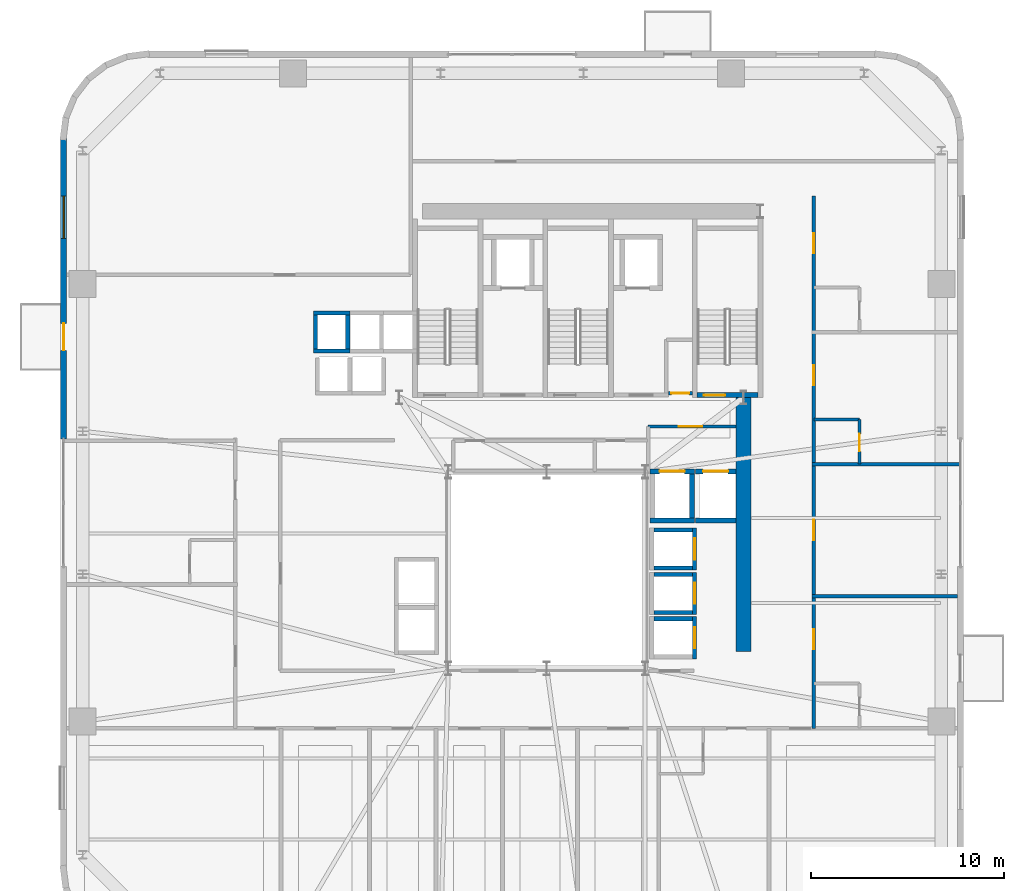
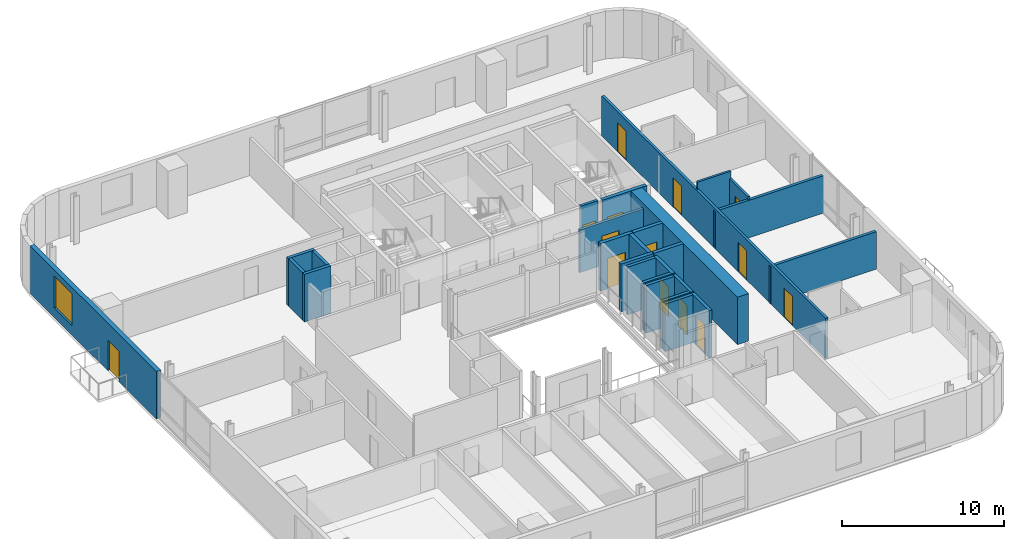
# One storey, part 9 of 14: 27 walls, 14 doors, 1 window, 15 openings.
"""IFC4 building model written with IfcOpenShell, lengths in metres."""

from ifc_helpers import new_model, si_unit, direction, frame, frame_2d, origin, place, context, subcontext, project, spatial, rectangle, extrude, source, transform, mapped, material, layer, layer_set, type_object, element, fill, save


model = new_model("IFC4")

# Units and contexts
model_context = context("Model", 3, precision=1e-05, world=origin(), true_north=direction((0.0, 1.0)))
body_context = subcontext(model_context, "Body", "Model", "MODEL_VIEW")
ifc_project = project(units=[si_unit("LENGTHUNIT", "METRE"), si_unit("AREAUNIT", "SQUARE_METRE"), si_unit("VOLUMEUNIT", "CUBIC_METRE"), si_unit("PLANEANGLEUNIT", "RADIAN"), si_unit("MASSUNIT", "GRAM", prefix="KILO")], contexts=[model_context])

# Site, building, storey
site_placement = place(None, origin())
site = spatial("IfcSite", under=ifc_project, at=site_placement, CompositionType="ELEMENT")
building_placement = place(site_placement, origin())
building = spatial("IfcBuilding", under=site, at=building_placement, Name="Vardaveli Station Tower", CompositionType="ELEMENT")
storey_placement = place(building_placement, frame((0.0, 0.0, 177.199951171875)))
storey = spatial("IfcBuildingStorey", under=building, at=storey_placement, Name="L45", CompositionType="ELEMENT", Elevation=177.199951171875)

# Wall
ifc_material_1 = material(Name="Concrete C50/60", Category="concrete")
ifc_layer_1 = layer(ifc_material_1, 0.800048828125, Name="Concrete C50/60")
ifc_layer_set_1 = layer_set([ifc_layer_1], Name="Concrete C50/60")
wall_type_1 = type_object("IfcWallType", Name="WAL-CORE-800", PredefinedType="SHEAR", material=ifc_layer_set_1)
shared_shape_1 = source(origin(), body_context, "Body", "SweptSolid", [
    extrude(rectangle(XDim=13.14990234375, YDim=0.800048828125, at=frame_2d((6.574951171875, 0.0))), origin(), (0.0, 0.0, 1.0), 3.580078125),
])
wall_1_placement = place(storey_placement, frame((46.5, 17.5, 0.0), z_axis=(0.0, 0.0, 1.0), x_axis=(0.0, 1.0, 0.0)))
element("IfcWall", 1, at=wall_1_placement, inside=storey, type_object=wall_type_1, Name="SW-L45-EAST2", PredefinedType="SHEAR", context=body_context, shape_type="MappedRepresentation", body=[
    mapped(shared_shape_1, transform((0.0, 0.0, 0.0), scale=1.0)),
])

# Wall, openings, door, window
ifc_material_2 = material(Name="Precast concrete C45/55", Category="concrete")
ifc_layer_2 = layer(ifc_material_2, 0.320068359375, Name="Precast concrete C45/55")
ifc_layer_set_2 = layer_set([ifc_layer_2], Name="Precast concrete C45/55")
wall_type_2 = type_object("IfcWallType", Name="WAL-EXT-STONE-320", PredefinedType="SOLIDWALL", material=ifc_layer_set_2)
shared_shape_2 = source(origin(), body_context, "Body", "SweptSolid", [
    extrude(rectangle(XDim=15.60009765625, YDim=0.320068359375, at=frame_2d((7.800048828125, 0.0))), origin(), (0.0, 0.0, 1.0), 3.580078125),
])
wall_2_placement = place(storey_placement, frame((11.260009765625, 44.10009765625, 0.0), z_axis=(0.0, 0.0, 1.0), x_axis=(0.0, -1.0, 0.0)))
wall_2 = element("IfcWall", 2, at=wall_2_placement, inside=storey, type_object=wall_type_2, Name="EW-L45-W1", PredefinedType="SOLIDWALL", context=body_context, shape_type="MappedRepresentation", body=[
    mapped(shared_shape_2, transform((0.0, 0.0, 0.0), scale=1.0)),
])
shared_shape_3 = source(origin(), body_context, "Body", "SweptSolid", [
    extrude(rectangle(XDim=1.39990234375, YDim=2.300048828125, at=frame_2d((0.699951171875, 1.14990234375))), frame((0.0, 0.169921875, 0.0), z_axis=(0.0, -1.0, 0.0), x_axis=(1.0, 0.0, 0.0)), (0.0, 0.0, 1.0), 0.340087890625),
])
opening_1_placement = place(wall_2_placement, frame((9.6103515625, 0.0, 0.0)))
opening_1 = element("IfcOpeningElement", 3, at=opening_1_placement, cuts=wall_2, Name="Opening D-09", PredefinedType="OPENING", context=body_context, shape_type="MappedRepresentation", body=[
    mapped(shared_shape_3, transform((0.0, 0.0, 0.0), scale=1.0)),
])
shared_shape_4 = source(origin(), body_context, "Body", "SweptSolid", [
    extrude(rectangle(XDim=2.199951171875, YDim=2.39990234375, at=frame_2d((1.10009765625, 1.199951171875))), frame((0.0, 0.169921875, 0.0), z_axis=(0.0, -1.0, 0.0), x_axis=(1.0, 0.0, 0.0)), (0.0, 0.0, 1.0), 0.340087890625),
])
opening_2_placement = place(wall_2_placement, frame((3.0048828125, 0.0, 0.719970703125)))
opening_2 = element("IfcOpeningElement", 4, at=opening_2_placement, cuts=wall_2, Name="Opening W-03", PredefinedType="OPENING", context=body_context, shape_type="MappedRepresentation", body=[
    mapped(shared_shape_4, transform((0.0, 0.0, 0.0), scale=1.0)),
])
ifc_material_3 = material(Name="Thermally broken aluminium glass", Category="aluminium")
door_type_1 = type_object("IfcDoorType", Name="DR-LOG-1400x2300", OperationType="DOUBLE_DOOR_SLIDING", PredefinedType="DOOR", material=ifc_material_3)
shared_shape_5 = source(origin(), body_context, "Body", "SweptSolid", [
    extrude(rectangle(XDim=1.39990234375, YDim=2.300048828125, at=frame_2d((0.699951171875, 1.14990234375))), frame((0.0, 0.02490234375, 0.0), z_axis=(0.0, -1.0, 0.0), x_axis=(1.0, 0.0, 0.0)), (0.0, 0.0, 1.0), 0.050048828125),
])
door_1_placement = place(opening_1_placement, frame((1.39990234375, 0.0, 0.0), z_axis=(0.0, 0.0, 1.0), x_axis=(-1.0, 0.0, 0.0)))
door_1 = element("IfcDoor", 5, at=door_1_placement, inside=storey, type_object=door_type_1, Name="DLG-L45-W", OperationType="DOUBLE_DOOR_SLIDING", OverallHeight=2.300048828125, OverallWidth=1.39990234375, PredefinedType="DOOR", context=body_context, shape_type="MappedRepresentation", body=[
    mapped(shared_shape_5, transform((0.0, 0.0, 0.0), scale=1.0)),
])
fill(opening_1, door_1)
ifc_material_4 = material(Name="Low-E solar-control glass", Category="glass")
window_type = type_object("IfcWindowType", Name="WIN-LOG-2200x2400", PartitioningType="SINGLE_PANEL", PredefinedType="WINDOW", material=ifc_material_4)
shared_shape_6 = source(origin(), body_context, "Body", "SweptSolid", [
    extrude(rectangle(XDim=2.199951171875, YDim=2.39990234375, at=frame_2d((1.10009765625, 1.199951171875))), frame((0.0, 0.030029296875, 0.0), z_axis=(0.0, -1.0, 0.0), x_axis=(1.0, 0.0, 0.0)), (0.0, 0.0, 1.0), 0.06005859375),
])
window_placement = place(opening_2_placement, origin())
window = element("IfcWindow", 6, at=window_placement, inside=storey, type_object=window_type, Name="WN-L45-W1", OverallHeight=2.39990234375, OverallWidth=2.199951171875, PartitioningType="SINGLE_PANEL", PredefinedType="WINDOW", context=body_context, shape_type="MappedRepresentation", body=[
    mapped(shared_shape_6, transform((0.0, 0.0, 0.0), scale=1.0)),
])
fill(opening_2, window)

# Wall, opening, door
ifc_material_5 = material(Name="Concrete C40/50", Category="concrete")
ifc_layer_3 = layer(ifc_material_5, 0.25, Name="Concrete C40/50")
ifc_layer_set_3 = layer_set([ifc_layer_3], Name="Concrete C40/50")
wall_type_3 = type_object("IfcWallType", Name="WAL-SHAFT-250", PredefinedType="SOLIDWALL", material=ifc_layer_set_3)
shared_shape_7 = source(origin(), body_context, "Body", "SweptSolid", [
    extrude(rectangle(XDim=3.14990234375, YDim=0.25, at=frame_2d((1.574951171875, 0.0))), origin(), (0.0, 0.0, 1.0), 3.60009765625),
])
wall_3_placement = place(storey_placement, frame((44.10009765625, 30.77490234375, 0.0), z_axis=(0.0, 0.0, 1.0), x_axis=(1.0, 0.0, 0.0)))
wall_3 = element("IfcWall", 7, at=wall_3_placement, inside=storey, type_object=wall_type_3, Name="W-L45-ST-3S", PredefinedType="SOLIDWALL", context=body_context, shape_type="MappedRepresentation", body=[
    mapped(shared_shape_7, transform((0.0, 0.0, 0.0), scale=1.0)),
])
shared_shape_8 = source(origin(), body_context, "Body", "SweptSolid", [
    extrude(rectangle(XDim=1.10009765625, YDim=2.199951171875, at=frame_2d((0.550048828125, 1.10009765625))), frame((0.0, 0.135009765625, 0.0), z_axis=(0.0, -1.0, 0.0), x_axis=(1.0, 0.0, 0.0)), (0.0, 0.0, 1.0), 0.27001953125),
])
opening_3_placement = place(wall_3_placement, frame((0.35009765625, 0.0, 0.0)))
opening_3 = element("IfcOpeningElement", 8, at=opening_3_placement, cuts=wall_3, Name="Opening D-04", PredefinedType="OPENING", context=body_context, shape_type="MappedRepresentation", body=[
    mapped(shared_shape_8, transform((0.0, 0.0, 0.0), scale=1.0)),
])
ifc_material_6 = material(Name="Steel smokeproof fire doorset", Category="steel")
door_type_2 = type_object("IfcDoorType", Name="DR-ST-1100x2200", OperationType="NOTDEFINED", PredefinedType="DOOR", material=ifc_material_6)
shared_shape_9 = source(origin(), body_context, "Body", "SweptSolid", [
    extrude(rectangle(XDim=1.10009765625, YDim=2.199951171875, at=frame_2d((0.550048828125, 1.10009765625))), frame((0.0, 0.02490234375, 0.0), z_axis=(0.0, -1.0, 0.0), x_axis=(1.0, 0.0, 0.0)), (0.0, 0.0, 1.0), 0.050048828125),
])
door_2_placement = place(opening_3_placement, origin())
door_2 = element("IfcDoor", 9, at=door_2_placement, inside=storey, type_object=door_type_2, Name="DST-3-L45", OperationType="SINGLE_SWING_LEFT", OverallHeight=2.199951171875, OverallWidth=1.10009765625, PredefinedType="DOOR", context=body_context, shape_type="MappedRepresentation", body=[
    mapped(shared_shape_9, transform((0.0, 0.0, 0.0), scale=1.0)),
])
fill(opening_3, door_2)

# Walls
ifc_layer_4 = layer(ifc_material_5, 0.219970703125, Name="Concrete C40/50")
ifc_layer_set_4 = layer_set([ifc_layer_4], Name="Concrete C40/50")
wall_type_4 = type_object("IfcWallType", Name="WAL-FFLOBBY-220", PredefinedType="SOLIDWALL", material=ifc_layer_set_4)
shared_shape_10 = source(origin(), body_context, "Body", "SweptSolid", [
    extrude(rectangle(XDim=1.889892578125, YDim=0.219970703125, at=frame_2d((0.94482421875, 0.0))), origin(), (0.0, 0.0, 1.0), 3.580078125),
])
for number, where, z_axis, x_axis, name in (
    (10, (24.205078125, 33.06494140625, 0.0), (0.0, 0.0, 1.0), (1.0, 0.0, 0.0), "SHW-HL2-01-L45-S"),
    (11, (24.205078125, 35.034912109375, 0.0), (0.0, 0.0, 1.0), (1.0, 0.0, 0.0), "SHW-HL2-01-L45-N"),
):
    element("IfcWall", number, at=place(storey_placement, frame(where, z_axis=z_axis, x_axis=x_axis)), inside=storey, type_object=wall_type_4, Name=name, PredefinedType="SOLIDWALL", context=body_context, shape_type="MappedRepresentation", body=[
        mapped(shared_shape_10, transform((0.0, 0.0, 0.0), scale=1.0)),
    ])
shared_shape_11 = source(origin(), body_context, "Body", "SweptSolid", [
    extrude(rectangle(XDim=1.75, YDim=0.219970703125, at=frame_2d((0.875, 0.0))), origin(), (0.0, 0.0, 1.0), 3.580078125),
])
for number, where, z_axis, x_axis, name in (
    (12, (24.31494140625, 33.175048828125, 0.0), (0.0, 0.0, 1.0), (0.0, 1.0, 0.0), "SHW-HL2-01-L45-W"),
    (13, (25.985107421875, 33.175048828125, 0.0), (0.0, 0.0, 1.0), (0.0, 1.0, 0.0), "SHW-HL2-01-L45-E"),
):
    element("IfcWall", number, at=place(storey_placement, frame(where, z_axis=z_axis, x_axis=x_axis)), inside=storey, type_object=wall_type_4, Name=name, PredefinedType="SOLIDWALL", context=body_context, shape_type="MappedRepresentation", body=[
        mapped(shared_shape_11, transform((0.0, 0.0, 0.0), scale=1.0)),
    ])
shared_shape_12 = source(origin(), body_context, "Body", "SweptSolid", [
    extrude(rectangle(XDim=2.0, YDim=0.219970703125, at=frame_2d((1.0, 0.0))), origin(), (0.0, 0.0, 1.0), 3.580078125),
])
for number, where, z_axis, x_axis, name in (
    (14, (41.85009765625, 21.81494140625, 0.0), (0.0, 0.0, 1.0), (1.0, 0.0, 0.0), "SHW-HL3-01-L45-S"),
    (15, (41.85009765625, 23.784912109375, 0.0), (0.0, 0.0, 1.0), (1.0, 0.0, 0.0), "SHW-HL3-01-L45-N"),
    (16, (41.85009765625, 19.514892578125, 0.0), (0.0, 0.0, 1.0), (1.0, 0.0, 0.0), "SHW-HL3-02-L45-S"),
    (17, (41.85009765625, 21.485107421875, 0.0), (0.0, 0.0, 1.0), (1.0, 0.0, 0.0), "SHW-HL3-02-L45-N"),
    (18, (41.85009765625, 19.18505859375, 0.0), (0.0, 0.0, 1.0), (1.0, 0.0, 0.0), "SHW-HL3-03-L45-N"),
):
    element("IfcWall", number, at=place(storey_placement, frame(where, z_axis=z_axis, x_axis=x_axis)), inside=storey, type_object=wall_type_4, Name=name, PredefinedType="SOLIDWALL", context=body_context, shape_type="MappedRepresentation", body=[
        mapped(shared_shape_12, transform((0.0, 0.0, 0.0), scale=1.0)),
    ])

# Wall, opening, door
shared_shape_13 = source(origin(), body_context, "Body", "SweptSolid", [
    extrude(rectangle(XDim=2.18994140625, YDim=0.219970703125, at=frame_2d((1.094970703125, 0.0))), origin(), (0.0, 0.0, 1.0), 3.580078125),
])
wall_4_placement = place(storey_placement, frame((43.9599609375, 21.705078125, 0.0), z_axis=(0.0, 0.0, 1.0), x_axis=(0.0, 1.0, 0.0)))
wall_4 = element("IfcWall", 19, at=wall_4_placement, inside=storey, type_object=wall_type_4, Name="SHW-HL3-01-L45-E", PredefinedType="SOLIDWALL", context=body_context, shape_type="MappedRepresentation", body=[
    mapped(shared_shape_13, transform((0.0, 0.0, 0.0), scale=1.0)),
])
shared_shape_14 = source(origin(), body_context, "Body", "SweptSolid", [
    extrude(rectangle(XDim=1.10009765625, YDim=2.199951171875, at=frame_2d((0.550048828125, 1.10009765625))), frame((0.0, 0.1201171875, 0.0), z_axis=(0.0, -1.0, 0.0), x_axis=(1.0, 0.0, 0.0)), (0.0, 0.0, 1.0), 0.239990234375),
])
opening_4_placement = place(wall_4_placement, frame((0.544921875, 0.0, 0.0)))
opening_4 = element("IfcOpeningElement", 20, at=opening_4_placement, cuts=wall_4, Name="Opening LD-01", PredefinedType="OPENING", context=body_context, shape_type="MappedRepresentation", body=[
    mapped(shared_shape_14, transform((0.0, 0.0, 0.0), scale=1.0)),
])
ifc_material_7 = material(Name="Brushed stainless steel", Category="steel")
door_type_3 = type_object("IfcDoorType", Name="DR-LD-1100x2200", OperationType="DOUBLE_DOOR_SLIDING", PredefinedType="DOOR", material=ifc_material_7)
door_3_placement = place(opening_4_placement, origin())
door_3 = element("IfcDoor", 21, at=door_3_placement, inside=storey, type_object=door_type_3, Name="LD-HL3-01-L45", OperationType="DOUBLE_DOOR_SLIDING", OverallHeight=2.199951171875, OverallWidth=1.10009765625, PredefinedType="DOOR", context=body_context, shape_type="MappedRepresentation", body=[
    mapped(shared_shape_9, transform((0.0, 0.0, 0.0), scale=1.0)),
])
fill(opening_4, door_3)

wall_5_placement = place(storey_placement, frame((43.9599609375, 19.405029296875, 0.0), z_axis=(0.0, 0.0, 1.0), x_axis=(0.0, 1.0, 0.0)))
wall_5 = element("IfcWall", 22, at=wall_5_placement, inside=storey, type_object=wall_type_4, Name="SHW-HL3-02-L45-E", PredefinedType="SOLIDWALL", context=body_context, shape_type="MappedRepresentation", body=[
    mapped(shared_shape_13, transform((0.0, 0.0, 0.0), scale=1.0)),
])
opening_5_placement = place(wall_5_placement, frame((0.544921875, 0.0, 0.0)))
opening_5 = element("IfcOpeningElement", 23, at=opening_5_placement, cuts=wall_5, Name="Opening LD-01", PredefinedType="OPENING", context=body_context, shape_type="MappedRepresentation", body=[
    mapped(shared_shape_14, transform((0.0, 0.0, 0.0), scale=1.0)),
])
door_4_placement = place(opening_5_placement, origin())
door_4 = element("IfcDoor", 24, at=door_4_placement, inside=storey, type_object=door_type_3, Name="LD-HL3-02-L45", OperationType="DOUBLE_DOOR_SLIDING", OverallHeight=2.199951171875, OverallWidth=1.10009765625, PredefinedType="DOOR", context=body_context, shape_type="MappedRepresentation", body=[
    mapped(shared_shape_9, transform((0.0, 0.0, 0.0), scale=1.0)),
])
fill(opening_5, door_4)

wall_6_placement = place(storey_placement, frame((43.9599609375, 17.10498046875, 0.0), z_axis=(0.0, 0.0, 1.0), x_axis=(0.0, 1.0, 0.0)))
wall_6 = element("IfcWall", 25, at=wall_6_placement, inside=storey, type_object=wall_type_4, Name="SHW-HL3-03-L45-E", PredefinedType="SOLIDWALL", context=body_context, shape_type="MappedRepresentation", body=[
    mapped(shared_shape_13, transform((0.0, 0.0, 0.0), scale=1.0)),
])
opening_6_placement = place(wall_6_placement, frame((0.544921875, 0.0, 0.0)))
opening_6 = element("IfcOpeningElement", 26, at=opening_6_placement, cuts=wall_6, Name="Opening LD-01", PredefinedType="OPENING", context=body_context, shape_type="MappedRepresentation", body=[
    mapped(shared_shape_14, transform((0.0, 0.0, 0.0), scale=1.0)),
])
door_5_placement = place(opening_6_placement, origin())
door_5 = element("IfcDoor", 27, at=door_5_placement, inside=storey, type_object=door_type_3, Name="LD-HL3-03-L45", OperationType="DOUBLE_DOOR_SLIDING", OverallHeight=2.199951171875, OverallWidth=1.10009765625, PredefinedType="DOOR", context=body_context, shape_type="MappedRepresentation", body=[
    mapped(shared_shape_9, transform((0.0, 0.0, 0.0), scale=1.0)),
])
fill(opening_6, door_5)

# Wall
shared_shape_15 = source(origin(), body_context, "Body", "SweptSolid", [
    extrude(rectangle(XDim=2.300048828125, YDim=0.25, at=frame_2d((1.14990234375, 0.0))), origin(), (0.0, 0.0, 1.0), 3.580078125),
])
wall_7_placement = place(storey_placement, frame((41.64990234375, 24.27490234375, 0.0), z_axis=(0.0, 0.0, 1.0), x_axis=(1.0, 0.0, 0.0)))
element("IfcWall", 28, at=wall_7_placement, inside=storey, type_object=wall_type_3, Name="SHW-SRV-01-L45-S", PredefinedType="SOLIDWALL", context=body_context, shape_type="MappedRepresentation", body=[
    mapped(shared_shape_15, transform((0.0, 0.0, 0.0), scale=1.0)),
])

# Wall, opening, door
wall_8_placement = place(storey_placement, frame((41.64990234375, 26.824951171875, 0.0), z_axis=(0.0, 0.0, 1.0), x_axis=(1.0, 0.0, 0.0)))
wall_8 = element("IfcWall", 29, at=wall_8_placement, inside=storey, type_object=wall_type_3, Name="SHW-SRV-01-L45-N", PredefinedType="SOLIDWALL", context=body_context, shape_type="MappedRepresentation", body=[
    mapped(shared_shape_15, transform((0.0, 0.0, 0.0), scale=1.0)),
])
shared_shape_16 = source(origin(), body_context, "Body", "SweptSolid", [
    extrude(rectangle(XDim=1.300048828125, YDim=2.300048828125, at=frame_2d((0.64990234375, 1.14990234375))), frame((0.0, 0.135009765625, 0.0), z_axis=(0.0, -1.0, 0.0), x_axis=(1.0, 0.0, 0.0)), (0.0, 0.0, 1.0), 0.27001953125),
])
opening_7_placement = place(wall_8_placement, frame((0.5, 0.0, 0.0)))
opening_7 = element("IfcOpeningElement", 30, at=opening_7_placement, cuts=wall_8, Name="Opening LD-03", PredefinedType="OPENING", context=body_context, shape_type="MappedRepresentation", body=[
    mapped(shared_shape_16, transform((0.0, 0.0, 0.0), scale=1.0)),
])
door_type_4 = type_object("IfcDoorType", Name="DR-LD-1300x2300", OperationType="DOUBLE_DOOR_SLIDING", PredefinedType="DOOR", material=ifc_material_7)
shared_shape_17 = source(origin(), body_context, "Body", "SweptSolid", [
    extrude(rectangle(XDim=1.300048828125, YDim=2.300048828125, at=frame_2d((0.64990234375, 1.14990234375))), frame((0.0, 0.02490234375, 0.0), z_axis=(0.0, -1.0, 0.0), x_axis=(1.0, 0.0, 0.0)), (0.0, 0.0, 1.0), 0.050048828125),
])
door_6_placement = place(opening_7_placement, origin())
door_6 = element("IfcDoor", 31, at=door_6_placement, inside=storey, type_object=door_type_4, Name="LD-SRV-01-L45", OperationType="DOUBLE_DOOR_SLIDING", OverallHeight=2.300048828125, OverallWidth=1.300048828125, PredefinedType="DOOR", context=body_context, shape_type="MappedRepresentation", body=[
    mapped(shared_shape_17, transform((0.0, 0.0, 0.0), scale=1.0)),
])
fill(opening_7, door_6)

# Walls
wall_9_placement = place(storey_placement, frame((43.824951171875, 24.39990234375, 0.0), z_axis=(0.0, 0.0, 1.0), x_axis=(0.0, 1.0, 0.0)))
element("IfcWall", 32, at=wall_9_placement, inside=storey, type_object=wall_type_3, Name="SHW-SRV-01-L45-E", PredefinedType="SOLIDWALL", context=body_context, shape_type="MappedRepresentation", body=[
    mapped(shared_shape_15, transform((0.0, 0.0, 0.0), scale=1.0)),
])
shared_shape_18 = source(origin(), body_context, "Body", "SweptSolid", [
    extrude(rectangle(XDim=2.10009765625, YDim=0.25, at=frame_2d((1.050048828125, 0.0))), origin(), (0.0, 0.0, 1.0), 3.580078125),
])
wall_10_placement = place(storey_placement, frame((44.0, 24.27490234375, 0.0), z_axis=(0.0, 0.0, 1.0), x_axis=(1.0, 0.0, 0.0)))
element("IfcWall", 33, at=wall_10_placement, inside=storey, type_object=wall_type_3, Name="SHW-SRV-02-L45-S", PredefinedType="SOLIDWALL", context=body_context, shape_type="MappedRepresentation", body=[
    mapped(shared_shape_18, transform((0.0, 0.0, 0.0), scale=1.0)),
])

# Wall, opening, door
wall_11_placement = place(storey_placement, frame((44.0, 26.824951171875, 0.0), z_axis=(0.0, 0.0, 1.0), x_axis=(1.0, 0.0, 0.0)))
wall_11 = element("IfcWall", 34, at=wall_11_placement, inside=storey, type_object=wall_type_3, Name="SHW-SRV-02-L45-N", PredefinedType="SOLIDWALL", context=body_context, shape_type="MappedRepresentation", body=[
    mapped(shared_shape_18, transform((0.0, 0.0, 0.0), scale=1.0)),
])
opening_8_placement = place(wall_11_placement, frame((0.39990234375, 0.0, 0.0)))
opening_8 = element("IfcOpeningElement", 35, at=opening_8_placement, cuts=wall_11, Name="Opening LD-03", PredefinedType="OPENING", context=body_context, shape_type="MappedRepresentation", body=[
    mapped(shared_shape_16, transform((0.0, 0.0, 0.0), scale=1.0)),
])
door_7_placement = place(opening_8_placement, origin())
door_7 = element("IfcDoor", 36, at=door_7_placement, inside=storey, type_object=door_type_4, Name="LD-SRV-02-L45", OperationType="DOUBLE_DOOR_SLIDING", OverallHeight=2.300048828125, OverallWidth=1.300048828125, PredefinedType="DOOR", context=body_context, shape_type="MappedRepresentation", body=[
    mapped(shared_shape_17, transform((0.0, 0.0, 0.0), scale=1.0)),
])
fill(opening_8, door_7)

# Wall, openings, doors
ifc_material_8 = material(Name="Fire-rated gypsum stud partition")
ifc_layer_5 = layer(ifc_material_8, 0.179931640625, Name="Fire-rated gypsum stud partition")
ifc_layer_set_5 = layer_set([ifc_layer_5], Name="Fire-rated gypsum stud partition")
wall_type_5 = type_object("IfcWallType", Name="WAL-CORR-180", PredefinedType="PARTITIONING", material=ifc_layer_set_5)
shared_shape_19 = source(origin(), body_context, "Body", "SweptSolid", [
    extrude(rectangle(XDim=27.590087890625, YDim=0.179931640625, at=frame_2d((13.794921875, 0.0))), origin(), (0.0, 0.0, 1.0), 3.02197265625),
])
wall_12_placement = place(storey_placement, frame((50.14990234375, 13.510009765625, 0.0), z_axis=(0.0, 0.0, 1.0), x_axis=(0.0, 1.0, 0.0)))
wall_12 = element("IfcWall", 37, at=wall_12_placement, inside=storey, type_object=wall_type_5, Name="W-L45-CE", PredefinedType="PARTITIONING", context=body_context, shape_type="MappedRepresentation", body=[
    mapped(shared_shape_19, transform((0.0, 0.0, 0.0), scale=1.0)),
])
shared_shape_20 = source(origin(), body_context, "Body", "SweptSolid", [
    extrude(rectangle(XDim=1.050048828125, YDim=2.199951171875, at=frame_2d((0.52490234375, 1.10009765625))), frame((0.0, 0.10009765625, 0.0), z_axis=(0.0, -1.0, 0.0), x_axis=(1.0, 0.0, 0.0)), (0.0, 0.0, 1.0), 0.199951171875),
])
opening_9_placement = place(wall_12_placement, frame((4.086181640625, 0.0, 0.0)))
opening_9 = element("IfcOpeningElement", 38, at=opening_9_placement, cuts=wall_12, Name="Opening D-05", PredefinedType="OPENING", context=body_context, shape_type="MappedRepresentation", body=[
    mapped(shared_shape_20, transform((0.0, 0.0, 0.0), scale=1.0)),
])
opening_10_placement = place(wall_12_placement, frame((9.743896484375, 0.0, 0.0)))
opening_10 = element("IfcOpeningElement", 39, at=opening_10_placement, cuts=wall_12, Name="Opening D-05", PredefinedType="OPENING", context=body_context, shape_type="MappedRepresentation", body=[
    mapped(shared_shape_20, transform((0.0, 0.0, 0.0), scale=1.0)),
])
opening_11_placement = place(wall_12_placement, frame((17.771240234375, 0.0, 0.0)))
opening_11 = element("IfcOpeningElement", 40, at=opening_11_placement, cuts=wall_12, Name="Opening D-05", PredefinedType="OPENING", context=body_context, shape_type="MappedRepresentation", body=[
    mapped(shared_shape_20, transform((0.0, 0.0, 0.0), scale=1.0)),
])
opening_12_placement = place(wall_12_placement, frame((24.61376953125, 0.0, 0.0)))
opening_12 = element("IfcOpeningElement", 41, at=opening_12_placement, cuts=wall_12, Name="Opening D-05", PredefinedType="OPENING", context=body_context, shape_type="MappedRepresentation", body=[
    mapped(shared_shape_20, transform((0.0, 0.0, 0.0), scale=1.0)),
])
ifc_material_9 = material(Name="Walnut veneer acoustic fire door")
door_type_5 = type_object("IfcDoorType", Name="DR-SUITE-1050x2200", OperationType="NOTDEFINED", PredefinedType="DOOR", material=ifc_material_9)
shared_shape_21 = source(origin(), body_context, "Body", "SweptSolid", [
    extrude(rectangle(XDim=1.050048828125, YDim=2.199951171875, at=frame_2d((0.52490234375, 1.10009765625))), frame((0.0, 0.02490234375, 0.0), z_axis=(0.0, -1.0, 0.0), x_axis=(1.0, 0.0, 0.0)), (0.0, 0.0, 1.0), 0.050048828125),
])
door_8_placement = place(opening_9_placement, origin())
door_8 = element("IfcDoor", 42, at=door_8_placement, inside=storey, type_object=door_type_5, Name="D-L45-GE1", OperationType="SINGLE_SWING_RIGHT", OverallHeight=2.199951171875, OverallWidth=1.050048828125, PredefinedType="DOOR", context=body_context, shape_type="MappedRepresentation", body=[
    mapped(shared_shape_21, transform((0.0, 0.0, 0.0), scale=1.0)),
])
fill(opening_9, door_8)
door_9_placement = place(opening_10_placement, origin())
door_9 = element("IfcDoor", 43, at=door_9_placement, inside=storey, type_object=door_type_5, Name="D-L45-GE2", OperationType="SINGLE_SWING_LEFT", OverallHeight=2.199951171875, OverallWidth=1.050048828125, PredefinedType="DOOR", context=body_context, shape_type="MappedRepresentation", body=[
    mapped(shared_shape_21, transform((0.0, 0.0, 0.0), scale=1.0)),
])
fill(opening_10, door_9)
door_10_placement = place(opening_11_placement, origin())
door_10 = element("IfcDoor", 44, at=door_10_placement, inside=storey, type_object=door_type_5, Name="D-L45-GE3", OperationType="SINGLE_SWING_RIGHT", OverallHeight=2.199951171875, OverallWidth=1.050048828125, PredefinedType="DOOR", context=body_context, shape_type="MappedRepresentation", body=[
    mapped(shared_shape_21, transform((0.0, 0.0, 0.0), scale=1.0)),
])
fill(opening_11, door_10)
door_11_placement = place(opening_12_placement, origin())
door_11 = element("IfcDoor", 45, at=door_11_placement, inside=storey, type_object=door_type_5, Name="D-L45-GE4", OperationType="SINGLE_SWING_LEFT", OverallHeight=2.199951171875, OverallWidth=1.050048828125, PredefinedType="DOOR", context=body_context, shape_type="MappedRepresentation", body=[
    mapped(shared_shape_21, transform((0.0, 0.0, 0.0), scale=1.0)),
])
fill(opening_12, door_11)

# Wall, opening, door
shared_shape_22 = source(origin(), body_context, "Body", "SweptSolid", [
    extrude(rectangle(XDim=4.5478515625, YDim=0.179931640625, at=frame_2d((2.27392578125, 0.0))), origin(), (0.0, 0.0, 1.0), 3.212158203125),
])
wall_13_placement = place(storey_placement, frame((41.550048828125, 29.14990234375, 0.0), z_axis=(0.0, 0.0, 1.0), x_axis=(1.0, 0.0, 0.0)))
wall_13 = element("IfcWall", 46, at=wall_13_placement, inside=storey, type_object=wall_type_5, Name="W-L45-SVFN", PredefinedType="PARTITIONING", context=body_context, shape_type="MappedRepresentation", body=[
    mapped(shared_shape_22, transform((0.0, 0.0, 0.0), scale=1.0)),
])
shared_shape_23 = source(origin(), body_context, "Body", "SweptSolid", [
    extrude(rectangle(XDim=1.199951171875, YDim=2.199951171875, at=frame_2d((0.60009765625, 1.10009765625))), frame((0.0, 0.10009765625, 0.0), z_axis=(0.0, -1.0, 0.0), x_axis=(1.0, 0.0, 0.0)), (0.0, 0.0, 1.0), 0.199951171875),
])
opening_13_placement = place(wall_13_placement, frame((1.60009765625, 0.0, 0.0)))
opening_13 = element("IfcOpeningElement", 47, at=opening_13_placement, cuts=wall_13, Name="Opening D-03", PredefinedType="OPENING", context=body_context, shape_type="MappedRepresentation", body=[
    mapped(shared_shape_23, transform((0.0, 0.0, 0.0), scale=1.0)),
])
door_type_6 = type_object("IfcDoorType", Name="DR-FFL-1200x2200", OperationType="NOTDEFINED", PredefinedType="DOOR", material=ifc_material_6)
shared_shape_24 = source(origin(), body_context, "Body", "SweptSolid", [
    extrude(rectangle(XDim=1.199951171875, YDim=2.199951171875, at=frame_2d((0.60009765625, 1.10009765625))), frame((0.0, 0.02490234375, 0.0), z_axis=(0.0, -1.0, 0.0), x_axis=(1.0, 0.0, 0.0)), (0.0, 0.0, 1.0), 0.050048828125),
])
door_12_placement = place(opening_13_placement, origin())
door_12 = element("IfcDoor", 48, at=door_12_placement, inside=storey, type_object=door_type_6, Name="D-L45-SVF", OperationType="SINGLE_SWING_LEFT", OverallHeight=2.199951171875, OverallWidth=1.199951171875, PredefinedType="DOOR", context=body_context, shape_type="MappedRepresentation", body=[
    mapped(shared_shape_24, transform((0.0, 0.0, 0.0), scale=1.0)),
])
fill(opening_13, door_12)

ifc_material_10 = material(Name="Moisture-resistant stud partition")
ifc_layer_6 = layer(ifc_material_10, 0.14990234375, Name="Moisture-resistant stud partition")
ifc_layer_set_6 = layer_set([ifc_layer_6], Name="Moisture-resistant stud partition")
wall_type_6 = type_object("IfcWallType", Name="WAL-WET-150", PredefinedType="PARTITIONING", material=ifc_layer_set_6)
shared_shape_25 = source(origin(), body_context, "Body", "SweptSolid", [
    extrude(rectangle(XDim=2.289794921875, YDim=0.14990234375, at=frame_2d((1.14501953125, 0.0))), origin(), (0.0, 0.0, 1.0), 3.02197265625),
])
wall_14_placement = place(storey_placement, frame((52.510009765625, 27.215087890625, 0.0), z_axis=(0.0, 0.0, 1.0), x_axis=(0.0, 1.0, 0.0)))
wall_14 = element("IfcWall", 49, at=wall_14_placement, inside=storey, type_object=wall_type_6, Name="W-L45-BE3-E", PredefinedType="PARTITIONING", context=body_context, shape_type="MappedRepresentation", body=[
    mapped(shared_shape_25, transform((0.0, 0.0, 0.0), scale=1.0)),
])
shared_shape_26 = source(origin(), body_context, "Body", "SweptSolid", [
    extrude(rectangle(XDim=0.89990234375, YDim=2.10009765625, at=frame_2d((0.449951171875, 1.050048828125))), frame((0.0, 0.0849609375, 0.0), z_axis=(0.0, -1.0, 0.0), x_axis=(1.0, 0.0, 0.0)), (0.0, 0.0, 1.0), 0.169921875),
])
opening_14_placement = place(wall_14_placement, frame((0.64990234375, 0.0, 0.0)))
opening_14 = element("IfcOpeningElement", 50, at=opening_14_placement, cuts=wall_14, Name="Opening D-08", PredefinedType="OPENING", context=body_context, shape_type="MappedRepresentation", body=[
    mapped(shared_shape_26, transform((0.0, 0.0, 0.0), scale=1.0)),
])
ifc_material_11 = material(Name="Moisture-resistant oak door")
door_type_7 = type_object("IfcDoorType", Name="DR-BATH-900x2100", OperationType="NOTDEFINED", PredefinedType="DOOR", material=ifc_material_11)
shared_shape_27 = source(origin(), body_context, "Body", "SweptSolid", [
    extrude(rectangle(XDim=0.89990234375, YDim=2.10009765625, at=frame_2d((0.449951171875, 1.050048828125))), frame((0.0, 0.02490234375, 0.0), z_axis=(0.0, -1.0, 0.0), x_axis=(1.0, 0.0, 0.0)), (0.0, 0.0, 1.0), 0.050048828125),
])
door_13_placement = place(opening_14_placement, origin())
door_13 = element("IfcDoor", 51, at=door_13_placement, inside=storey, type_object=door_type_7, Name="D-L45-BE3", OperationType="SINGLE_SWING_LEFT", OverallHeight=2.10009765625, OverallWidth=0.89990234375, PredefinedType="DOOR", context=body_context, shape_type="MappedRepresentation", body=[
    mapped(shared_shape_27, transform((0.0, 0.0, 0.0), scale=1.0)),
])
fill(opening_14, door_13)

shared_shape_28 = source(origin(), body_context, "Body", "SweptSolid", [
    extrude(rectangle(XDim=1.247802734375, YDim=0.179931640625, at=frame_2d((0.6240234375, 0.0))), origin(), (0.0, 0.0, 1.0), 3.580078125),
])
wall_15_placement = place(storey_placement, frame((42.60009765625, 30.8798828125, 0.0), z_axis=(0.0, 0.0, 1.0), x_axis=(1.0, 0.0, 0.0)))
wall_15 = element("IfcWall", 52, at=wall_15_placement, inside=storey, type_object=wall_type_5, Name="W-L45-CBS0-S", PredefinedType="PARTITIONING", context=body_context, shape_type="MappedRepresentation", body=[
    mapped(shared_shape_28, transform((0.0, 0.0, 0.0), scale=1.0)),
])
shared_shape_29 = source(origin(), body_context, "Body", "SweptSolid", [
    extrude(rectangle(XDim=0.919921875, YDim=2.10009765625, at=frame_2d((0.4599609375, 1.050048828125))), frame((0.0, 0.10009765625, 0.0), z_axis=(0.0, -1.0, 0.0), x_axis=(1.0, 0.0, 0.0)), (0.0, 0.0, 1.0), 0.199951171875),
])
opening_15_placement = place(wall_15_placement, frame((0.1640625, 0.0, 0.0)))
opening_15 = element("IfcOpeningElement", 53, at=opening_15_placement, cuts=wall_15, Name="Opening D-07", PredefinedType="OPENING", context=body_context, shape_type="MappedRepresentation", body=[
    mapped(shared_shape_29, transform((0.0, 0.0, 0.0), scale=1.0)),
])
ifc_material_12 = material(Name="Moisture-resistant hardwood door", Category="wood")
door_type_8 = type_object("IfcDoorType", Name="DR-WC-920x2100", OperationType="NOTDEFINED", PredefinedType="DOOR", material=ifc_material_12)
shared_shape_30 = source(origin(), body_context, "Body", "SweptSolid", [
    extrude(rectangle(XDim=0.919921875, YDim=2.10009765625, at=frame_2d((0.4599609375, 1.050048828125))), frame((0.0, 0.02490234375, 0.0), z_axis=(0.0, -1.0, 0.0), x_axis=(1.0, 0.0, 0.0)), (0.0, 0.0, 1.0), 0.050048828125),
])
door_14_placement = place(opening_15_placement, origin())
door_14 = element("IfcDoor", 54, at=door_14_placement, inside=storey, type_object=door_type_8, Name="D-L45-CBS0", OperationType="SINGLE_SWING_LEFT", OverallHeight=2.10009765625, OverallWidth=0.919921875, PredefinedType="DOOR", context=body_context, shape_type="MappedRepresentation", body=[
    mapped(shared_shape_30, transform((0.0, 0.0, 0.0), scale=1.0)),
])
fill(opening_15, door_14)

# Walls
ifc_material_13 = material(Name="Acoustic twin-stud gypsum partition")
ifc_layer_7 = layer(ifc_material_13, 0.199951171875, Name="Acoustic twin-stud gypsum partition")
ifc_layer_set_7 = layer_set([ifc_layer_7], Name="Acoustic twin-stud gypsum partition")
wall_type_7 = type_object("IfcWallType", Name="WAL-PARTY-200", PredefinedType="PARTITIONING", material=ifc_layer_set_7)
shared_shape_31 = source(origin(), body_context, "Body", "SweptSolid", [
    extrude(rectangle(XDim=7.52783203125, YDim=0.199951171875, at=frame_2d((3.763916015625, 0.0))), origin(), (0.0, 0.0, 1.0), 2.822021484375),
])
wall_16_placement = place(storey_placement, frame((50.050048828125, 20.35205078125, 0.0), z_axis=(0.0, 0.0, 1.0), x_axis=(1.0, 0.0, 0.0)))
element("IfcWall", 55, at=wall_16_placement, inside=storey, type_object=wall_type_7, Name="W-L45-PE1", PredefinedType="PARTITIONING", context=body_context, shape_type="MappedRepresentation", body=[
    mapped(shared_shape_31, transform((0.0, 0.0, 0.0), scale=1.0)),
])
shared_shape_32 = source(origin(), body_context, "Body", "SweptSolid", [
    extrude(rectangle(XDim=7.719970703125, YDim=0.199951171875, at=frame_2d((3.85986328125, 0.0))), origin(), (0.0, 0.0, 1.0), 2.822021484375),
])
wall_17_placement = place(storey_placement, frame((50.050048828125, 27.195068359375, 0.0), z_axis=(0.0, 0.0, 1.0), x_axis=(1.0, 0.0, 0.0)))
element("IfcWall", 56, at=wall_17_placement, inside=storey, type_object=wall_type_7, Name="W-L45-PE2", PredefinedType="PARTITIONING", context=body_context, shape_type="MappedRepresentation", body=[
    mapped(shared_shape_32, transform((0.0, 0.0, 0.0), scale=1.0)),
])
shared_shape_33 = source(origin(), body_context, "Body", "SweptSolid", [
    extrude(rectangle(XDim=2.360107421875, YDim=0.14990234375, at=frame_2d((1.18017578125, 0.0))), origin(), (0.0, 0.0, 1.0), 3.580078125),
])
wall_18_placement = place(storey_placement, frame((50.14990234375, 29.5048828125, 0.0), z_axis=(0.0, 0.0, 1.0), x_axis=(1.0, 0.0, 0.0)))
element("IfcWall", 57, at=wall_18_placement, inside=storey, type_object=wall_type_6, Name="W-L45-BE3-N", PredefinedType="PARTITIONING", context=body_context, shape_type="MappedRepresentation", body=[
    mapped(shared_shape_33, transform((0.0, 0.0, 0.0), scale=1.0)),
])

save(model, "model.ifc")
